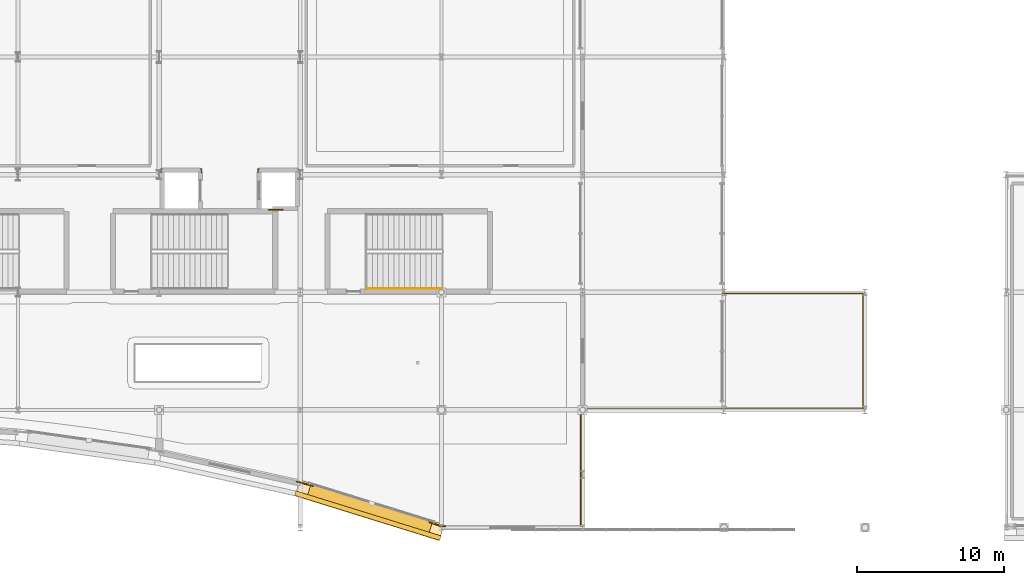
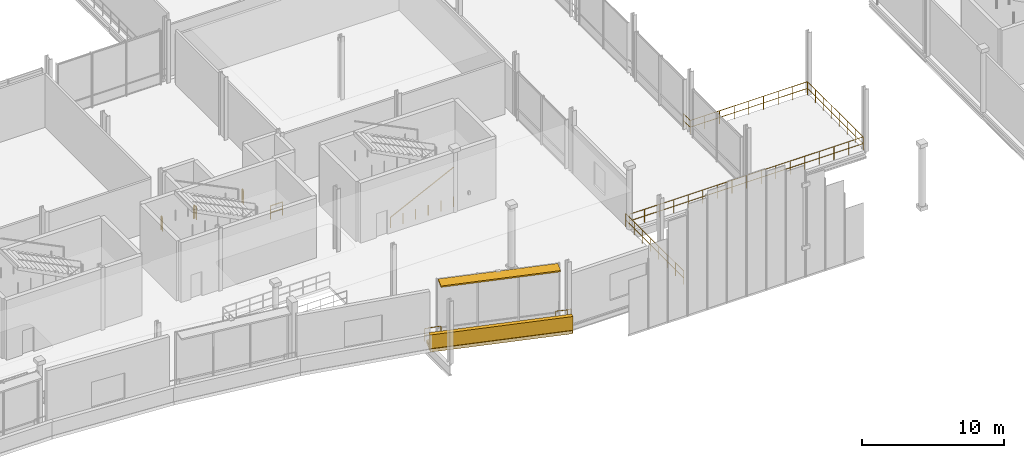
# One storey, part 111 of 129: 9 railings, 2 coverings, 1 shading device.
"""IFC4 building model written with IfcOpenShell, lengths in metres."""

from ifc_helpers import new_model, si_unit, direction, frame, origin, origin_2d, place, context, subcontext, project, spatial, rectangle, circle, extrude, material, layer, layer_set, type_object, element, save


model = new_model("IFC4")

# Units and contexts
model_context = context("Model", 3, precision=1e-05, world=origin(), true_north=direction((0.0, 1.0)))
body_context = subcontext(model_context, "Body", "Model", "MODEL_VIEW")
ifc_project = project(units=[si_unit("LENGTHUNIT", "METRE"), si_unit("AREAUNIT", "SQUARE_METRE"), si_unit("VOLUMEUNIT", "CUBIC_METRE"), si_unit("PLANEANGLEUNIT", "RADIAN"), si_unit("MASSUNIT", "GRAM", prefix="KILO")], contexts=[model_context])

# Site, building, storey
site_placement = place(None, origin())
site = spatial("IfcSite", under=ifc_project, at=site_placement, CompositionType="ELEMENT")
building_placement = place(site_placement, origin())
building = spatial("IfcBuilding", under=site, at=building_placement, Name="Danafjord Basin Convention Centre", CompositionType="ELEMENT")
storey_placement = place(building_placement, frame((0.0, 0.0, 6.0)))
storey = spatial("IfcBuildingStorey", under=building, at=storey_placement, Name="L01", CompositionType="ELEMENT", Elevation=6.0)

# Coverings
ifc_material_1 = material(Name="Architectural white precast concrete C45/55", Category="concrete")
ifc_layer = layer(ifc_material_1, 0.320068359375)
ifc_layer_set = layer_set([ifc_layer], Name="Architectural white precast concrete C45/55")
covering_type = type_object("IfcCoveringType", Name="COV-BAND-HORIZ", PredefinedType="CLADDING", material=ifc_layer_set)
covering_1_placement = place(storey_placement, frame((100.70361328125, 1.1796875, -0.27978515625), z_axis=(0.0, 0.0, 1.0), x_axis=(0.955044712757, -0.296461796249, 0.0)))
element("IfcCovering", 1, at=covering_1_placement, inside=storey, type_object=covering_type, Name="L01 stepped horizontal band soffit plate 11", PredefinedType="CLADDING", context=body_context, shape_type="SweptSolid", body=[
    extrude(rectangle(XDim=10.2919921875, YDim=1.14990234375, at=origin_2d()), origin(), (0.0, 0.0, 1.0), 0.280029296875),
])
covering_2_placement = place(storey_placement, frame((100.589599609375, 0.81201171875, -0.239990234375), z_axis=(0.0, 0.0, 1.0), x_axis=(0.955044712757, -0.296461796249, 0.0)))
element("IfcCovering", 2, at=covering_2_placement, inside=storey, type_object=covering_type, Name="L01 layered horizontal white spandrel band 11", PredefinedType="CLADDING", context=body_context, shape_type="SweptSolid", body=[
    extrude(rectangle(XDim=10.33203125, YDim=0.320068359375, at=origin_2d()), origin(), (0.0, 0.0, 1.0), 1.419921875),
])

# Railings
ifc_material_2 = material(Name="Laminated structural glass and stainless steel", Category="steel")
railing_type_1 = type_object("IfcRailingType", Name="RL-BAL-GLS", PredefinedType="BALUSTRADE", material=ifc_material_2)
railing_1_placement = place(storey_placement, frame((124.719970703125, 16.8798828125, 0.0)))
element("IfcRailing", 3, at=railing_1_placement, inside=storey, type_object=railing_type_1, Name="L01 safety guard balustrade 42", PredefinedType="BALUSTRADE", context=body_context, shape_type="SweptSolid", body=[
    extrude(circle(Radius=0.02392578125, at=origin_2d()), frame((0.0, 0.0, 1.1259765625), z_axis=(0.0, -1.0, 0.0), x_axis=(1.0, 0.0, 0.0)), (0.0, 0.0, 1.0), 0.9599609375),
    extrude(circle(Radius=0.02392578125, at=origin_2d()), frame((0.0, 0.0, 0.55078125), z_axis=(0.0, -1.0, 0.0), x_axis=(1.0, 0.0, 0.0)), (0.0, 0.0, 1.0), 0.9599609375),
    extrude(circle(Radius=0.02392578125, at=origin_2d()), frame((0.0, -0.9599609375, 1.1259765625), z_axis=(1.0, 0.0, 0.0), x_axis=(0.0, 1.0, 0.0)), (0.0, 0.0, 1.0), 9.550048828125),
    extrude(circle(Radius=0.02392578125, at=origin_2d()), frame((0.0, -0.9599609375, 0.55078125), z_axis=(1.0, 0.0, 0.0), x_axis=(0.0, 1.0, 0.0)), (0.0, 0.0, 1.0), 9.550048828125),
    extrude(circle(Radius=0.02392578125, at=origin_2d()), frame((9.550048828125, -0.9599609375, 1.1259765625), z_axis=(0.0, -1.0, 0.0), x_axis=(1.0, 0.0, 0.0)), (0.0, 0.0, 1.0), 7.83984375),
    extrude(circle(Radius=0.02392578125, at=origin_2d()), frame((9.550048828125, -0.9599609375, 0.55078125), z_axis=(0.0, -1.0, 0.0), x_axis=(1.0, 0.0, 0.0)), (0.0, 0.0, 1.0), 7.83984375),
    extrude(circle(Radius=0.02392578125, at=origin_2d()), frame((9.550048828125, -8.7998046875, 1.1259765625), z_axis=(-1.0, 0.0, 0.0), x_axis=(0.0, -1.0, 0.0)), (0.0, 0.0, 1.0), 18.97998046875),
    extrude(circle(Radius=0.02392578125, at=origin_2d()), frame((9.550048828125, -8.7998046875, 0.55078125), z_axis=(-1.0, 0.0, 0.0), x_axis=(0.0, -1.0, 0.0)), (0.0, 0.0, 1.0), 18.97998046875),
    extrude(circle(Radius=0.02099609375, at=origin_2d()), origin(), (0.0, 0.0, 1.0), 1.099853515625),
    extrude(circle(Radius=0.02099609375, at=origin_2d()), frame((0.0, -0.9599609375, 0.0)), (0.0, 0.0, 1.0), 1.099853515625),
    extrude(circle(Radius=0.02099609375, at=origin_2d()), frame((1.19384765625, -0.9599609375, 0.0)), (0.0, 0.0, 1.0), 1.099853515625),
    extrude(circle(Radius=0.02099609375, at=origin_2d()), frame((2.387451171875, -0.9599609375, 0.0)), (0.0, 0.0, 1.0), 1.099853515625),
    extrude(circle(Radius=0.02099609375, at=origin_2d()), frame((3.581298828125, -0.9599609375, 0.0)), (0.0, 0.0, 1.0), 1.099853515625),
    extrude(circle(Radius=0.02099609375, at=origin_2d()), frame((4.77490234375, -0.9599609375, 0.0)), (0.0, 0.0, 1.0), 1.099853515625),
    extrude(circle(Radius=0.02099609375, at=origin_2d()), frame((5.96875, -0.9599609375, 0.0)), (0.0, 0.0, 1.0), 1.099853515625),
    extrude(circle(Radius=0.02099609375, at=origin_2d()), frame((7.16259765625, -0.9599609375, 0.0)), (0.0, 0.0, 1.0), 1.099853515625),
    extrude(circle(Radius=0.02099609375, at=origin_2d()), frame((8.356201171875, -0.9599609375, 0.0)), (0.0, 0.0, 1.0), 1.099853515625),
    extrude(circle(Radius=0.02099609375, at=origin_2d()), frame((9.550048828125, -0.9599609375, 0.0)), (0.0, 0.0, 1.0), 1.099853515625),
    extrude(circle(Radius=0.02099609375, at=origin_2d()), frame((9.550048828125, -2.079833984375, 0.0)), (0.0, 0.0, 1.0), 1.099853515625),
    extrude(circle(Radius=0.02099609375, at=origin_2d()), frame((9.550048828125, -3.199951171875, 0.0)), (0.0, 0.0, 1.0), 1.099853515625),
    extrude(circle(Radius=0.02099609375, at=origin_2d()), frame((9.550048828125, -4.31982421875, 0.0)), (0.0, 0.0, 1.0), 1.099853515625),
    extrude(circle(Radius=0.02099609375, at=origin_2d()), frame((9.550048828125, -5.43994140625, 0.0)), (0.0, 0.0, 1.0), 1.099853515625),
    extrude(circle(Radius=0.02099609375, at=origin_2d()), frame((9.550048828125, -6.559814453125, 0.0)), (0.0, 0.0, 1.0), 1.099853515625),
    extrude(circle(Radius=0.02099609375, at=origin_2d()), frame((9.550048828125, -7.679931640625, 0.0)), (0.0, 0.0, 1.0), 1.099853515625),
    extrude(circle(Radius=0.02099609375, at=origin_2d()), frame((9.550048828125, -8.7998046875, 0.0)), (0.0, 0.0, 1.0), 1.099853515625),
    extrude(circle(Radius=0.02099609375, at=origin_2d()), frame((8.36376953125, -8.7998046875, 0.0)), (0.0, 0.0, 1.0), 1.099853515625),
    extrude(circle(Radius=0.02099609375, at=origin_2d()), frame((7.177490234375, -8.7998046875, 0.0)), (0.0, 0.0, 1.0), 1.099853515625),
    extrude(circle(Radius=0.02099609375, at=origin_2d()), frame((5.9912109375, -8.7998046875, 0.0)), (0.0, 0.0, 1.0), 1.099853515625),
    extrude(circle(Radius=0.02099609375, at=origin_2d()), frame((4.80517578125, -8.7998046875, 0.0)), (0.0, 0.0, 1.0), 1.099853515625),
    extrude(circle(Radius=0.02099609375, at=origin_2d()), frame((3.618896484375, -8.7998046875, 0.0)), (0.0, 0.0, 1.0), 1.099853515625),
    extrude(circle(Radius=0.02099609375, at=origin_2d()), frame((2.4326171875, -8.7998046875, 0.0)), (0.0, 0.0, 1.0), 1.099853515625),
    extrude(circle(Radius=0.02099609375, at=origin_2d()), frame((1.246337890625, -8.7998046875, 0.0)), (0.0, 0.0, 1.0), 1.099853515625),
    extrude(circle(Radius=0.02099609375, at=origin_2d()), frame((0.06005859375, -8.7998046875, 0.0)), (0.0, 0.0, 1.0), 1.099853515625),
    extrude(circle(Radius=0.02099609375, at=origin_2d()), frame((-1.126220703125, -8.7998046875, 0.0)), (0.0, 0.0, 1.0), 1.099853515625),
    extrude(circle(Radius=0.02099609375, at=origin_2d()), frame((-2.3125, -8.7998046875, 0.0)), (0.0, 0.0, 1.0), 1.099853515625),
    extrude(circle(Radius=0.02099609375, at=origin_2d()), frame((-3.498779296875, -8.7998046875, 0.0)), (0.0, 0.0, 1.0), 1.099853515625),
    extrude(circle(Radius=0.02099609375, at=origin_2d()), frame((-4.68505859375, -8.7998046875, 0.0)), (0.0, 0.0, 1.0), 1.099853515625),
    extrude(circle(Radius=0.02099609375, at=origin_2d()), frame((-5.87109375, -8.7998046875, 0.0)), (0.0, 0.0, 1.0), 1.099853515625),
    extrude(circle(Radius=0.02099609375, at=origin_2d()), frame((-7.057373046875, -8.7998046875, 0.0)), (0.0, 0.0, 1.0), 1.099853515625),
    extrude(circle(Radius=0.02099609375, at=origin_2d()), frame((-8.24365234375, -8.7998046875, 0.0)), (0.0, 0.0, 1.0), 1.099853515625),
    extrude(circle(Radius=0.02099609375, at=origin_2d()), frame((-9.429931640625, -8.7998046875, 0.0)), (0.0, 0.0, 1.0), 1.099853515625),
])
railing_2_placement = place(storey_placement, frame((115.070068359375, 8.280029296875, 0.0)))
element("IfcRailing", 4, at=railing_2_placement, inside=storey, type_object=railing_type_1, Name="L01 safety guard balustrade 43", PredefinedType="BALUSTRADE", context=body_context, shape_type="SweptSolid", body=[
    extrude(circle(Radius=0.02392578125, at=origin_2d()), frame((0.0, 0.0, 1.1259765625), z_axis=(0.0, -1.0, 0.0), x_axis=(1.0, 0.0, 0.0)), (0.0, 0.0, 1.0), 8.1650390625),
    extrude(circle(Radius=0.02392578125, at=origin_2d()), frame((0.0, 0.0, 0.55078125), z_axis=(0.0, -1.0, 0.0), x_axis=(1.0, 0.0, 0.0)), (0.0, 0.0, 1.0), 8.1650390625),
    extrude(circle(Radius=0.02099609375, at=origin_2d()), origin(), (0.0, 0.0, 1.0), 1.099853515625),
    extrude(circle(Radius=0.02099609375, at=origin_2d()), frame((0.0, -1.16650390625, 0.0)), (0.0, 0.0, 1.0), 1.099853515625),
    extrude(circle(Radius=0.02099609375, at=origin_2d()), frame((0.0, -2.332763671875, 0.0)), (0.0, 0.0, 1.0), 1.099853515625),
    extrude(circle(Radius=0.02099609375, at=origin_2d()), frame((0.0, -3.499267578125, 0.0)), (0.0, 0.0, 1.0), 1.099853515625),
    extrude(circle(Radius=0.02099609375, at=origin_2d()), frame((0.0, -4.665771484375, 0.0)), (0.0, 0.0, 1.0), 1.099853515625),
    extrude(circle(Radius=0.02099609375, at=origin_2d()), frame((0.0, -5.832275390625, 0.0)), (0.0, 0.0, 1.0), 1.099853515625),
    extrude(circle(Radius=0.02099609375, at=origin_2d()), frame((0.0, -6.99853515625, 0.0)), (0.0, 0.0, 1.0), 1.099853515625),
    extrude(circle(Radius=0.02099609375, at=origin_2d()), frame((0.0, -8.1650390625, 0.0)), (0.0, 0.0, 1.0), 1.099853515625),
])
railing_3_placement = place(storey_placement, frame((105.8798828125, 0.093017578125, 0.0)))
element("IfcRailing", 5, at=railing_3_placement, inside=storey, type_object=railing_type_1, Name="L01 safety guard balustrade 44", PredefinedType="BALUSTRADE", context=body_context, shape_type="SweptSolid", body=[
    extrude(circle(Radius=0.02392578125, at=origin_2d()), frame((0.0, 0.0, 1.1259765625), z_axis=(-0.999979876353, 0.006344043625, 0.0), x_axis=(-0.006344043625, -0.999979876353, 0.0)), (0.0, 0.0, 1.0), 0.307861328125),
    extrude(circle(Radius=0.02392578125, at=origin_2d()), frame((0.0, 0.0, 0.55078125), z_axis=(-0.999979876353, 0.006344043625, 0.0), x_axis=(-0.006344043625, -0.999979876353, 0.0)), (0.0, 0.0, 1.0), 0.307861328125),
    extrude(circle(Radius=0.02392578125, at=origin_2d()), frame((-0.307861328125, 0.001953125, 1.1259765625), z_axis=(-0.944616391896, 0.328176586856, 0.0), x_axis=(-0.328176586856, -0.944616391896, 0.0)), (0.0, 0.0, 1.0), 0.82568359375),
    extrude(circle(Radius=0.02392578125, at=origin_2d()), frame((-0.307861328125, 0.001953125, 0.55078125), z_axis=(-0.944616391896, 0.328176586856, 0.0), x_axis=(-0.328176586856, -0.944616391896, 0.0)), (0.0, 0.0, 1.0), 0.82568359375),
    extrude(circle(Radius=0.02099609375, at=origin_2d()), origin(), (0.0, 0.0, 1.0), 1.099853515625),
    extrude(circle(Radius=0.02099609375, at=origin_2d()), frame((-0.307861328125, 0.001953125, 0.0)), (0.0, 0.0, 1.0), 1.099853515625),
    extrude(circle(Radius=0.02099609375, at=origin_2d()), frame((-1.087890625, 0.27294921875, 0.0)), (0.0, 0.0, 1.0), 1.099853515625),
])
railing_4_placement = place(storey_placement, frame((96.873046875, 2.823974609375, 0.0)))
element("IfcRailing", 6, at=railing_4_placement, inside=storey, type_object=railing_type_1, Name="L01 safety guard balustrade 45", PredefinedType="BALUSTRADE", context=body_context, shape_type="SweptSolid", body=[
    extrude(circle(Radius=0.02392578125, at=origin_2d()), frame((0.0, 0.0, 1.1259765625), z_axis=(-0.964541470473, 0.263931339058, 0.0), x_axis=(-0.263931339058, -0.964541470473, 0.0)), (0.0, 0.0, 1.0), 1.16748046875),
    extrude(circle(Radius=0.02392578125, at=origin_2d()), frame((0.0, 0.0, 0.55078125), z_axis=(-0.964541470473, 0.263931339058, 0.0), x_axis=(-0.263931339058, -0.964541470473, 0.0)), (0.0, 0.0, 1.0), 1.16748046875),
    extrude(circle(Radius=0.02099609375, at=origin_2d()), origin(), (0.0, 0.0, 1.0), 1.099853515625),
    extrude(circle(Radius=0.02099609375, at=origin_2d()), frame((-1.1259765625, 0.30810546875, 0.0)), (0.0, 0.0, 1.0), 1.099853515625),
])
railing_5_placement = place(storey_placement, frame((93.199951171875, 24.3798828125, 0.0)))
element("IfcRailing", 7, at=railing_5_placement, inside=storey, type_object=railing_type_1, Name="L01 safety guard balustrade 106", PredefinedType="BALUSTRADE", context=body_context, shape_type="SweptSolid", body=[
    extrude(circle(Radius=0.02392578125, at=origin_2d()), frame((0.0, 0.0, 1.1259765625), z_axis=(-1.0, 0.0, 0.0), x_axis=(0.0, -1.0, 0.0)), (0.0, 0.0, 1.0), 0.079833984375),
    extrude(circle(Radius=0.02392578125, at=origin_2d()), frame((0.0, 0.0, 0.55078125), z_axis=(-1.0, 0.0, 0.0), x_axis=(0.0, -1.0, 0.0)), (0.0, 0.0, 1.0), 0.079833984375),
    extrude(circle(Radius=0.02392578125, at=origin_2d()), frame((-0.079833984375, 0.0, 1.1259765625), z_axis=(0.0, -1.0, 0.0), x_axis=(1.0, 0.0, 0.0)), (0.0, 0.0, 1.0), 0.21484375),
    extrude(circle(Radius=0.02392578125, at=origin_2d()), frame((-0.079833984375, 0.0, 0.55078125), z_axis=(0.0, -1.0, 0.0), x_axis=(1.0, 0.0, 0.0)), (0.0, 0.0, 1.0), 0.21484375),
    extrude(circle(Radius=0.02099609375, at=origin_2d()), origin(), (0.0, 0.0, 1.0), 1.099853515625),
    extrude(circle(Radius=0.02099609375, at=origin_2d()), frame((-0.079833984375, 0.0, 0.0)), (0.0, 0.0, 1.0), 1.099853515625),
    extrude(circle(Radius=0.02099609375, at=origin_2d()), frame((-0.079833984375, -0.21484375, 0.0)), (0.0, 0.0, 1.0), 1.099853515625),
])
railing_6_placement = place(storey_placement, frame((89.280029296875, 24.1650390625, 0.0)))
element("IfcRailing", 8, at=railing_6_placement, inside=storey, type_object=railing_type_1, Name="L01 safety guard balustrade 110", PredefinedType="BALUSTRADE", context=body_context, shape_type="SweptSolid", body=[
    extrude(circle(Radius=0.02392578125, at=origin_2d()), frame((0.0, 0.0, 1.1259765625), z_axis=(0.0, 1.0, 0.0), x_axis=(-1.0, 0.0, 0.0)), (0.0, 0.0, 1.0), 0.21484375),
    extrude(circle(Radius=0.02392578125, at=origin_2d()), frame((0.0, 0.0, 0.55078125), z_axis=(0.0, 1.0, 0.0), x_axis=(-1.0, 0.0, 0.0)), (0.0, 0.0, 1.0), 0.21484375),
    extrude(circle(Radius=0.02392578125, at=origin_2d()), frame((0.0, 0.21484375, 1.1259765625), z_axis=(-1.0, 0.0, 0.0), x_axis=(0.0, -1.0, 0.0)), (0.0, 0.0, 1.0), 0.080078125),
    extrude(circle(Radius=0.02392578125, at=origin_2d()), frame((0.0, 0.21484375, 0.55078125), z_axis=(-1.0, 0.0, 0.0), x_axis=(0.0, -1.0, 0.0)), (0.0, 0.0, 1.0), 0.080078125),
    extrude(circle(Radius=0.02099609375, at=origin_2d()), origin(), (0.0, 0.0, 1.0), 1.099853515625),
    extrude(circle(Radius=0.02099609375, at=origin_2d()), frame((0.0, 0.21484375, 0.0)), (0.0, 0.0, 1.0), 1.099853515625),
    extrude(circle(Radius=0.02099609375, at=origin_2d()), frame((-0.080078125, 0.21484375, 0.0)), (0.0, 0.0, 1.0), 1.099853515625),
])
ifc_material_3 = material(Name="Galvanised and powder-coated steel S355", Category="steel")
railing_type_2 = type_object("IfcRailingType", Name="RL-BAL-STL", PredefinedType="BALUSTRADE", material=ifc_material_3)
railing_7_placement = place(storey_placement, frame((93.85009765625, 21.6201171875, 0.0)))
element("IfcRailing", 9, at=railing_7_placement, inside=storey, type_object=railing_type_2, Name="L01 safety guard balustrade 107", PredefinedType="BALUSTRADE", context=body_context, shape_type="SweptSolid", body=[
    extrude(circle(Radius=0.02392578125, at=origin_2d()), frame((0.0, 0.0, 1.1259765625), z_axis=(1.0, 0.0, 0.0), x_axis=(0.0, 1.0, 0.0)), (0.0, 0.0, 1.0), 0.969970703125),
    extrude(circle(Radius=0.02392578125, at=origin_2d()), frame((0.0, 0.0, 0.55078125), z_axis=(1.0, 0.0, 0.0), x_axis=(0.0, 1.0, 0.0)), (0.0, 0.0, 1.0), 0.969970703125),
    extrude(circle(Radius=0.02099609375, at=origin_2d()), origin(), (0.0, 0.0, 1.0), 1.099853515625),
    extrude(circle(Radius=0.02099609375, at=origin_2d()), frame((0.969970703125, 0.0, 0.0)), (0.0, 0.0, 1.0), 1.099853515625),
])
railing_8_placement = place(storey_placement, frame((86.60009765625, 24.3798828125, 0.0)))
element("IfcRailing", 10, at=railing_8_placement, inside=storey, type_object=railing_type_2, Name="L01 safety guard balustrade 111", PredefinedType="BALUSTRADE", context=body_context, shape_type="SweptSolid", body=[
    extrude(circle(Radius=0.02392578125, at=origin_2d()), frame((0.0, 0.0, 1.1259765625), z_axis=(-1.0, 0.0, 0.0), x_axis=(0.0, -1.0, 0.0)), (0.0, 0.0, 1.0), 0.080078125),
    extrude(circle(Radius=0.02392578125, at=origin_2d()), frame((0.0, 0.0, 0.55078125), z_axis=(-1.0, 0.0, 0.0), x_axis=(0.0, -1.0, 0.0)), (0.0, 0.0, 1.0), 0.080078125),
    extrude(circle(Radius=0.02392578125, at=origin_2d()), frame((-0.080078125, 0.0, 1.1259765625), z_axis=(0.0, -1.0, 0.0), x_axis=(1.0, 0.0, 0.0)), (0.0, 0.0, 1.0), 0.21484375),
    extrude(circle(Radius=0.02392578125, at=origin_2d()), frame((-0.080078125, 0.0, 0.55078125), z_axis=(0.0, -1.0, 0.0), x_axis=(1.0, 0.0, 0.0)), (0.0, 0.0, 1.0), 0.21484375),
    extrude(circle(Radius=0.02099609375, at=origin_2d()), origin(), (0.0, 0.0, 1.0), 1.099853515625),
    extrude(circle(Radius=0.02099609375, at=origin_2d()), frame((-0.080078125, 0.0, 0.0)), (0.0, 0.0, 1.0), 1.099853515625),
    extrude(circle(Radius=0.02099609375, at=origin_2d()), frame((-0.080078125, -0.21484375, 0.0)), (0.0, 0.0, 1.0), 1.099853515625),
])
ifc_material_4 = material(Name="Brushed stainless steel EN 1.4404", Category="steel")
railing_type_3 = type_object("IfcRailingType", Name="RL-HR-STAIR", PredefinedType="HANDRAIL", material=ifc_material_4)
railing_9_placement = place(storey_placement, frame((100.530029296875, 16.260009765625, 0.179931640625)))
element("IfcRailing", 11, at=railing_9_placement, inside=storey, type_object=railing_type_3, Name="L01 ST-04 stair handrail 1", PredefinedType="HANDRAIL", context=body_context, shape_type="SweptSolid", body=[
    extrude(circle(Radius=0.02392578125, at=origin_2d()), frame((0.0, 0.0, 0.8759765625), z_axis=(0.89686481642, 0.0, 0.442304760396), x_axis=(0.0, 1.0, 0.0)), (0.0, 0.0, 1.0), 5.697509765625),
    extrude(circle(Radius=0.02099609375, at=origin_2d()), origin(), (0.0, 0.0, 1.0), 0.849853515625),
    extrude(circle(Radius=0.02099609375, at=origin_2d()), frame((1.02197265625, 0.0, 0.0)), (0.0, 0.0, 1.0), 0.849853515625),
    extrude(circle(Radius=0.02099609375, at=origin_2d()), frame((2.0439453125, 0.0, 0.0)), (0.0, 0.0, 1.0), 0.849853515625),
    extrude(circle(Radius=0.02099609375, at=origin_2d()), frame((3.06591796875, 0.0, 0.0)), (0.0, 0.0, 1.0), 0.849853515625),
    extrude(circle(Radius=0.02099609375, at=origin_2d()), frame((4.087890625, 0.0, 0.0)), (0.0, 0.0, 1.0), 0.849853515625),
    extrude(circle(Radius=0.02099609375, at=origin_2d()), frame((5.10986328125, 0.0, 0.0)), (0.0, 0.0, 1.0), 0.849853515625),
])

# Shading device
ifc_material_5 = material(Name="Anodised aluminium aerofoil sunshade", Category="aluminium")
shading_device_type = type_object("IfcShadingDeviceType", Name="SHD-SUN-A", PredefinedType="USERDEFINED", material=ifc_material_5)
shading_device_placement = place(storey_placement, frame((100.7265625, 1.25341796875, 5.030029296875), z_axis=(0.0, 0.0, 1.0), x_axis=(0.955044712757, -0.296461796249, 0.0)))
element("IfcShadingDevice", 12, at=shading_device_placement, inside=storey, type_object=shading_device_type, Name="L01 cantilevered harbour sunshade 9", ObjectType="SUNSHADE", PredefinedType="USERDEFINED", context=body_context, shape_type="SweptSolid", body=[
    extrude(rectangle(XDim=8.65185546875, YDim=0.89990234375, at=origin_2d()), origin(), (0.0, 0.0, 1.0), 0.1201171875),
])

save(model, "model.ifc")
